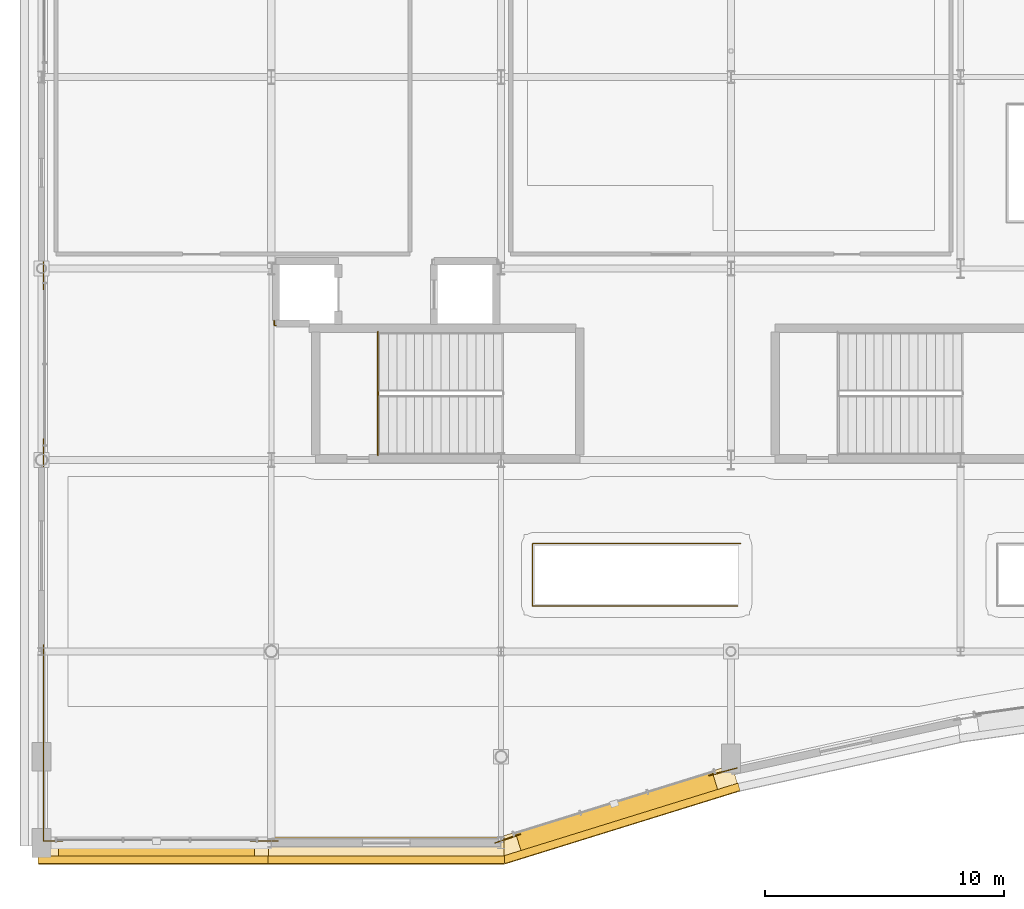
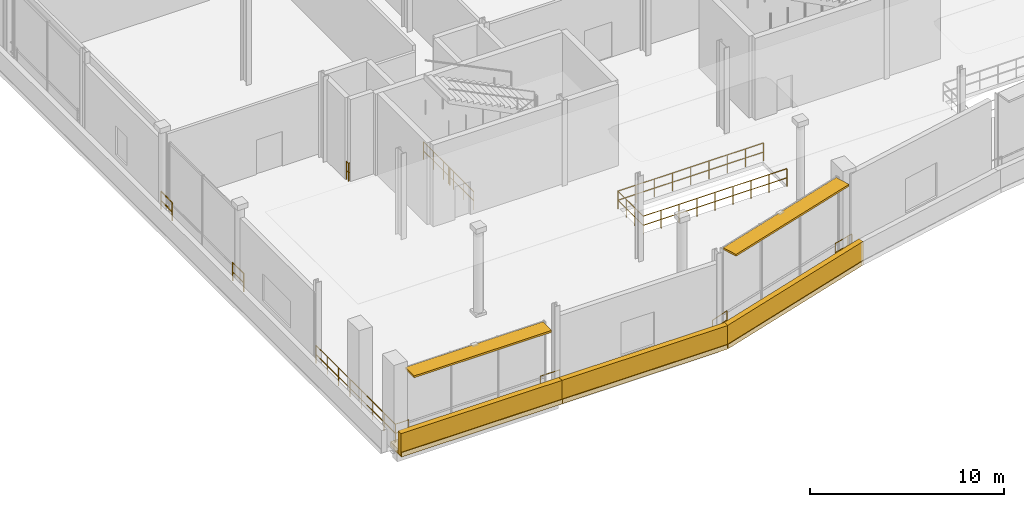
# One storey, part 102 of 129: 10 railings, 6 coverings, 2 shading devices.
"""IFC4 building model written with IfcOpenShell, lengths in metres."""

import ifcopenshell
import ifcopenshell.guid

model = None  # the IFC model being written
_history = None  # IfcOwnerHistory: only IFC2X3 demands one
_inside = {}  # id of a spatial element -> (the spatial element, [elements in it])
_under = {}  # id of a project, library or spatial element -> (it, [spatial elements below it])
_declared = {}  # id of a project -> (the project, [libraries it declares])
_typed = {}  # id of a type object -> (the type object, [elements of that type])
_made_of = {}  # id of a material, layer set ... -> (it, [elements and type objects made of it])


def new_model(schema):
    """Start an empty IFC model of exactly this schema.

    Asked for "IFC4X3", IfcOpenShell would pick the latest addendum, in which some entities
    have other attributes; the version numbers below select the first issue.
    IFC2X3 requires an IfcOwnerHistory on every rooted entity: one is made here for all.
    """
    global model, _history
    if schema == "IFC4X3":
        model = ifcopenshell.file(schema_version=(4, 3, 0, 0))
    else:
        model = ifcopenshell.file(schema=schema)
    _inside.clear()
    _under.clear()
    _declared.clear()
    _typed.clear()
    _made_of.clear()
    _history = None
    if model.schema == "IFC2X3":
        org = make("IfcOrganization", Name="unknown")
        user = make(
            "IfcPersonAndOrganization",
            ThePerson=make("IfcPerson", FamilyName="unknown"),
            TheOrganization=org,
        )
        app = make(
            "IfcApplication",
            ApplicationDeveloper=org,
            Version="unknown",
            ApplicationFullName="unknown",
            ApplicationIdentifier="unknown",
        )
        _history = make(
            "IfcOwnerHistory",
            OwningUser=user,
            OwningApplication=app,
            ChangeAction="ADDED",
            CreationDate=0,
        )
    return model


def make(cls, **values):
    """One entity of the class cls with the attributes given. An attribute that is None is left unset."""
    return model.create_entity(
        cls, **{name: value for name, value in values.items() if value is not None}
    )


def rooted(cls, **values):
    """An entity with a GlobalId (a new one), such as an element, a storey or a relation."""
    return make(cls, GlobalId=ifcopenshell.guid.new(), OwnerHistory=_history, **values)


def si_unit(unit_type, name, prefix=None):
    """IfcSIUnit, for example si_unit("LENGTHUNIT", "METRE", prefix="MILLI")."""
    return make("IfcSIUnit", UnitType=unit_type, Prefix=prefix, Name=name)


def assignment(units):
    """IfcUnitAssignment: the units of a project."""
    return None if units is None else make("IfcUnitAssignment", Units=units)


def point(xyz):
    """IfcCartesianPoint."""
    return None if xyz is None else make("IfcCartesianPoint", Coordinates=xyz)


def direction(xyz):
    """IfcDirection."""
    return None if xyz is None else make("IfcDirection", DirectionRatios=xyz)


def frame(location, z_axis=None, x_axis=None):
    """IfcAxis2Placement3D, a coordinate frame: its origin and axes. An axis left out is left unset."""
    return make(
        "IfcAxis2Placement3D",
        Location=point(location),
        Axis=direction(z_axis),
        RefDirection=direction(x_axis),
    )


def frame_2d(location, x_axis=None):
    """IfcAxis2Placement2D, a coordinate frame in the plane: its origin and x axis."""
    return make(
        "IfcAxis2Placement2D", Location=point(location), RefDirection=direction(x_axis)
    )


def origin():
    """The frame at (0, 0, 0) with its axes left unset."""
    return frame((0.0, 0.0, 0.0))


def origin_2d():
    """The frame at (0, 0) in the plane with its x axis left unset."""
    return frame_2d((0.0, 0.0))


def place(relative_to, where):
    """IfcLocalPlacement: puts the frame where relative to a parent placement (None: the world)."""
    return make(
        "IfcLocalPlacement", PlacementRelTo=relative_to, RelativePlacement=where
    )


def context(
    kind, dimensions, precision=None, world=None, true_north=None, identifier=None
):
    """IfcGeometricRepresentationContext, for example the 3D "Model" context."""
    return make(
        "IfcGeometricRepresentationContext",
        ContextIdentifier=identifier,
        ContextType=kind,
        CoordinateSpaceDimension=dimensions,
        Precision=precision,
        WorldCoordinateSystem=world,
        TrueNorth=true_north,
    )


def subcontext(parent, identifier, kind, view, scale=None):
    """IfcGeometricRepresentationSubContext, for example "Body" below "Model"."""
    return make(
        "IfcGeometricRepresentationSubContext",
        ContextIdentifier=identifier,
        ContextType=kind,
        ParentContext=parent,
        TargetScale=scale,
        TargetView=view,
    )


def project(units=None, contexts=None):
    """IfcProject with its units and contexts."""
    return rooted(
        "IfcProject",
        Name="project",
        RepresentationContexts=contexts,
        UnitsInContext=assignment(units),
    )


def spatial(cls, under=None, at=None, **own):
    """A site, building, storey or space (cls), placed at a placement, below another one or the project."""
    s = rooted(cls, ObjectPlacement=at, **own)
    if under is not None:
        _under.setdefault(under.id(), (under, []))[1].append(s)
    return s


def profile(cls, at=None, kind="AREA", **sizes):
    """A parametric profile (cls). Its sizes go by their IFC names, for example OverallWidth=200.0."""
    return make(cls, ProfileType=kind, Position=at, **sizes)


def rectangle(**sizes):
    """IfcRectangleProfileDef."""
    return profile("IfcRectangleProfileDef", **sizes)


def circle(**sizes):
    """IfcCircleProfileDef."""
    return profile("IfcCircleProfileDef", **sizes)


def extrude(swept, where, along, depth):
    """IfcExtrudedAreaSolid: the profile swept, set in the frame where, extruded along a direction by depth."""
    return make(
        "IfcExtrudedAreaSolid",
        SweptArea=swept,
        Position=where,
        ExtrudedDirection=direction(along),
        Depth=depth,
    )


def shape(context_of_items, identifier, shape_type, items):
    """IfcShapeRepresentation: the items that make up one representation, for example the "Body"."""
    return make(
        "IfcShapeRepresentation",
        ContextOfItems=context_of_items,
        RepresentationIdentifier=identifier,
        RepresentationType=shape_type,
        Items=items,
    )


def material(Name=None, Category=None):
    """IfcMaterial."""
    return make("IfcMaterial", Name=Name, Category=Category)


def layer(
    of_material, thickness, ventilated=None, Name=None, Category=None, Priority=None
):
    """IfcMaterialLayer: one layer of a wall or slab, of a material (None: an air gap)."""
    return make(
        "IfcMaterialLayer",
        Material=of_material,
        LayerThickness=thickness,
        IsVentilated=ventilated,
        Name=Name,
        Category=Category,
        Priority=Priority,
    )


def layer_set(layers, Name=None):
    """IfcMaterialLayerSet."""
    return make("IfcMaterialLayerSet", MaterialLayers=layers, LayerSetName=Name)


def made_of(thing, what):
    """Note that an element or type object is made of a material, layer set ...; save() writes the relation."""
    if what is not None:
        _made_of.setdefault(what.id(), (what, []))[1].append(thing)
    return thing


def type_object(cls, material=None, **own):
    """A type object (cls), such as IfcWallType, which elements share."""
    return made_of(rooted(cls, **own), material)


def element(
    cls,
    number,
    at=None,
    inside=None,
    cuts=None,
    type_object=None,
    material=None,
    context=None,
    identifier="Body",
    shape_type=None,
    held_by="IfcProductDefinitionShape",
    body=None,
    shapes=None,
    **own,
):
    """One element of the class cls, such as IfcWall. Its Tag is "e" and its number.

    at: its placement. inside: the storey or other place that contains it. cuts: it is an
    opening in that element (IfcRelVoidsElement). A single representation is given by context,
    identifier, shape_type and body (its items); several are given by shapes. held_by: the class
    of the entity that holds the representations. save() writes the other relations.
    """
    e = rooted(cls, Tag="e%d" % number, ObjectPlacement=at, **own)
    if body is not None:
        shapes = [shape(context, identifier, shape_type, body)]
    if shapes is not None:
        e.Representation = make(held_by, Representations=shapes)
    if inside is not None:
        _inside.setdefault(inside.id(), (inside, []))[1].append(e)
    if cuts is not None:
        rooted(
            "IfcRelVoidsElement", RelatingBuildingElement=cuts, RelatedOpeningElement=e
        )
    if type_object is not None:
        _typed.setdefault(type_object.id(), (type_object, []))[1].append(e)
    return made_of(e, material)


def aggregate(whole, parts):
    """IfcRelAggregates: a whole, such as a stair, and the parts it consists of."""
    return rooted("IfcRelAggregates", RelatingObject=whole, RelatedObjects=parts)


def save(model, path):
    """Write the relations noted so far, then the file.

    IfcRelAggregates (storeys below a building ...), IfcRelContainedInSpatialStructure (elements
    in a storey), IfcRelDefinesByType, IfcRelAssociatesMaterial and IfcRelDeclares: one each for
    every whole, place, type object, material and project.
    """
    for whole, parts in _under.values():
        aggregate(whole, parts)
    for where, things in _inside.values():
        rooted(
            "IfcRelContainedInSpatialStructure",
            RelatedElements=things,
            RelatingStructure=where,
        )
    for kind, things in _typed.values():
        rooted("IfcRelDefinesByType", RelatedObjects=things, RelatingType=kind)
    for what, things in _made_of.values():
        rooted("IfcRelAssociatesMaterial", RelatedObjects=things, RelatingMaterial=what)
    for by, libraries in _declared.values():
        rooted("IfcRelDeclares", RelatingContext=by, RelatedDefinitions=libraries)
    model.write(path)


model = new_model("IFC4")

# Units and contexts
model_context = context("Model", 3, precision=1e-05, world=origin(), true_north=direction((0.0, 1.0)))
body_context = subcontext(model_context, "Body", "Model", "MODEL_VIEW")
ifc_project = project(units=[si_unit("LENGTHUNIT", "METRE"), si_unit("AREAUNIT", "SQUARE_METRE"), si_unit("VOLUMEUNIT", "CUBIC_METRE"), si_unit("PLANEANGLEUNIT", "RADIAN"), si_unit("MASSUNIT", "GRAM", prefix="KILO")], contexts=[model_context])

# Site, building, storey
site_placement = place(None, origin())
site = spatial("IfcSite", under=ifc_project, at=site_placement, CompositionType="ELEMENT")
building_placement = place(site_placement, origin())
building = spatial("IfcBuilding", under=site, at=building_placement, Name="Danafjord Basin Convention Centre", CompositionType="ELEMENT")
storey_placement = place(building_placement, frame((0.0, 0.0, 6.0)))
storey = spatial("IfcBuildingStorey", under=building, at=storey_placement, Name="L01", CompositionType="ELEMENT", Elevation=6.0)

# Coverings
ifc_material_1 = material(Name="Architectural white precast concrete C45/55", Category="concrete")
ifc_layer = layer(ifc_material_1, 0.320068359375)
ifc_layer_set = layer_set([ifc_layer], Name="Architectural white precast concrete C45/55")
covering_type = type_object("IfcCoveringType", Name="COV-BAND-HORIZ", PredefinedType="CLADDING", material=ifc_layer_set)
covering_1_placement = place(storey_placement, frame((4.800048828125, -0.324951171875, -0.27978515625), z_axis=(0.0, 0.0, 1.0), x_axis=(1.0, 0.0, 0.0)))
element("IfcCovering", 1, at=covering_1_placement, inside=storey, type_object=covering_type, Name="L01 stepped horizontal band soffit plate 1", PredefinedType="CLADDING", context=body_context, shape_type="SweptSolid", body=[
    extrude(rectangle(XDim=9.840087890625, YDim=1.14990234375, at=origin_2d()), origin(), (0.0, 0.0, 1.0), 0.280029296875),
])
covering_2_placement = place(storey_placement, frame((4.800048828125, -0.7099609375, -0.239990234375), z_axis=(0.0, 0.0, 1.0), x_axis=(1.0, 0.0, 0.0)))
element("IfcCovering", 2, at=covering_2_placement, inside=storey, type_object=covering_type, Name="L01 layered horizontal white spandrel band 1", PredefinedType="CLADDING", context=body_context, shape_type="SweptSolid", body=[
    extrude(rectangle(XDim=9.8798828125, YDim=0.320068359375, at=origin_2d()), origin(), (0.0, 0.0, 1.0), 1.419921875),
])
covering_3_placement = place(storey_placement, frame((14.39990234375, -0.324951171875, -0.27978515625), z_axis=(0.0, 0.0, 1.0), x_axis=(1.0, 0.0, 0.0)))
element("IfcCovering", 3, at=covering_3_placement, inside=storey, type_object=covering_type, Name="L01 stepped horizontal band soffit plate 2", PredefinedType="CLADDING", context=body_context, shape_type="SweptSolid", body=[
    extrude(rectangle(XDim=9.840087890625, YDim=1.14990234375, at=origin_2d()), origin(), (0.0, 0.0, 1.0), 0.280029296875),
])
covering_4_placement = place(storey_placement, frame((14.39990234375, -0.7099609375, -0.239990234375), z_axis=(0.0, 0.0, 1.0), x_axis=(1.0, 0.0, 0.0)))
element("IfcCovering", 4, at=covering_4_placement, inside=storey, type_object=covering_type, Name="L01 layered horizontal white spandrel band 2", PredefinedType="CLADDING", context=body_context, shape_type="SweptSolid", body=[
    extrude(rectangle(XDim=9.8798828125, YDim=0.320068359375, at=origin_2d()), origin(), (0.0, 0.0, 1.0), 1.419921875),
])
covering_5_placement = place(storey_placement, frame((24.096435546875, 1.1796875, -0.27978515625), z_axis=(0.0, 0.0, 1.0), x_axis=(0.955044712757, 0.296461796249, 0.0)))
element("IfcCovering", 5, at=covering_5_placement, inside=storey, type_object=covering_type, Name="L01 stepped horizontal band soffit plate 3", PredefinedType="CLADDING", context=body_context, shape_type="SweptSolid", body=[
    extrude(rectangle(XDim=10.2919921875, YDim=1.14990234375, at=origin_2d()), origin(), (0.0, 0.0, 1.0), 0.280029296875),
])
covering_6_placement = place(storey_placement, frame((24.21044921875, 0.81201171875, -0.239990234375), z_axis=(0.0, 0.0, 1.0), x_axis=(0.955044712757, 0.296461796249, 0.0)))
element("IfcCovering", 6, at=covering_6_placement, inside=storey, type_object=covering_type, Name="L01 layered horizontal white spandrel band 3", PredefinedType="CLADDING", context=body_context, shape_type="SweptSolid", body=[
    extrude(rectangle(XDim=10.33203125, YDim=0.320068359375, at=origin_2d()), origin(), (0.0, 0.0, 1.0), 1.419921875),
])

# Railings
ifc_material_2 = material(Name="Laminated structural glass and stainless steel", Category="steel")
railing_type_1 = type_object("IfcRailingType", Name="RL-BAL-GLS", PredefinedType="BALUSTRADE", material=ifc_material_2)
railing_1_placement = place(storey_placement, frame((29.053955078125, 3.126953125, 0.0)))
element("IfcRailing", 7, at=railing_1_placement, inside=storey, type_object=railing_type_1, Name="L01 safety guard balustrade 52", PredefinedType="BALUSTRADE", context=body_context, shape_type="SweptSolid", body=[
    extrude(circle(Radius=0.02392578125, at=origin_2d()), frame((0.0, 0.0, 1.1259765625), z_axis=(-0.968807525671, -0.247814402734, 0.0), x_axis=(0.247814402734, -0.968807525671, 0.0)), (0.0, 0.0, 1.0), 0.28271484375),
    extrude(circle(Radius=0.02392578125, at=origin_2d()), frame((0.0, 0.0, 0.55078125), z_axis=(-0.968807525671, -0.247814402734, 0.0), x_axis=(0.247814402734, -0.968807525671, 0.0)), (0.0, 0.0, 1.0), 0.28271484375),
    extrude(circle(Radius=0.02392578125, at=origin_2d()), frame((-0.27392578125, -0.070068359375, 1.1259765625), z_axis=(-0.964473792843, -0.264178543637, 0.0), x_axis=(0.264178543637, -0.964473792843, 0.0)), (0.0, 0.0, 1.0), 0.934326171875),
    extrude(circle(Radius=0.02392578125, at=origin_2d()), frame((-0.27392578125, -0.070068359375, 0.55078125), z_axis=(-0.964473792843, -0.264178543637, 0.0), x_axis=(0.264178543637, -0.964473792843, 0.0)), (0.0, 0.0, 1.0), 0.934326171875),
    extrude(circle(Radius=0.02099609375, at=origin_2d()), origin(), (0.0, 0.0, 1.0), 1.099853515625),
    extrude(circle(Radius=0.02099609375, at=origin_2d()), frame((-0.27392578125, -0.070068359375, 0.0)), (0.0, 0.0, 1.0), 1.099853515625),
    extrude(circle(Radius=0.02099609375, at=origin_2d()), frame((-1.175048828125, -0.31689453125, 0.0)), (0.0, 0.0, 1.0), 1.099853515625),
])
railing_2_placement = place(storey_placement, frame((20.008056640625, 0.365966796875, 0.0)))
element("IfcRailing", 8, at=railing_2_placement, inside=storey, type_object=railing_type_1, Name="L01 safety guard balustrade 53", PredefinedType="BALUSTRADE", context=body_context, shape_type="SweptSolid", body=[
    extrude(circle(Radius=0.02392578125, at=origin_2d()), frame((0.0, 0.0, 1.1259765625), z_axis=(-0.944450360237, -0.328654099395, 0.0), x_axis=(0.328654099395, -0.944450360237, 0.0)), (0.0, 0.0, 1.0), 1.135009765625),
    extrude(circle(Radius=0.02392578125, at=origin_2d()), frame((0.0, 0.0, 0.55078125), z_axis=(-0.944450360237, -0.328654099395, 0.0), x_axis=(0.328654099395, -0.944450360237, 0.0)), (0.0, 0.0, 1.0), 1.135009765625),
    extrude(circle(Radius=0.02099609375, at=origin_2d()), origin(), (0.0, 0.0, 1.0), 1.099853515625),
    extrude(circle(Radius=0.02099609375, at=origin_2d()), frame((-1.072021484375, -0.373046875, 0.0)), (0.0, 0.0, 1.0), 1.099853515625),
])
railing_3_placement = place(storey_placement, frame((9.8798828125, 0.080078125, 0.0)))
element("IfcRailing", 9, at=railing_3_placement, inside=storey, type_object=railing_type_1, Name="L01 safety guard balustrade 54", PredefinedType="BALUSTRADE", context=body_context, shape_type="SweptSolid", body=[
    extrude(circle(Radius=0.02392578125, at=origin_2d()), frame((0.0, 0.0, 1.1259765625), z_axis=(-1.0, 0.0, 0.0), x_axis=(0.0, -1.0, 0.0)), (0.0, 0.0, 1.0), 1.159912109375),
    extrude(circle(Radius=0.02392578125, at=origin_2d()), frame((0.0, 0.0, 0.55078125), z_axis=(-1.0, 0.0, 0.0), x_axis=(0.0, -1.0, 0.0)), (0.0, 0.0, 1.0), 1.159912109375),
    extrude(circle(Radius=0.02099609375, at=origin_2d()), origin(), (0.0, 0.0, 1.0), 1.099853515625),
    extrude(circle(Radius=0.02099609375, at=origin_2d()), frame((-1.159912109375, 0.0, 0.0)), (0.0, 0.0, 1.0), 1.099853515625),
])
railing_4_placement = place(storey_placement, frame((0.8798828125, 0.080078125, 0.0)))
element("IfcRailing", 10, at=railing_4_placement, inside=storey, type_object=railing_type_1, Name="L01 safety guard balustrade 55", PredefinedType="BALUSTRADE", context=body_context, shape_type="SweptSolid", body=[
    extrude(circle(Radius=0.02392578125, at=origin_2d()), frame((0.0, 0.0, 1.1259765625), z_axis=(-1.0, 0.0, 0.0), x_axis=(0.0, -1.0, 0.0)), (0.0, 0.0, 1.0), 0.7998046875),
    extrude(circle(Radius=0.02392578125, at=origin_2d()), frame((0.0, 0.0, 0.55078125), z_axis=(-1.0, 0.0, 0.0), x_axis=(0.0, -1.0, 0.0)), (0.0, 0.0, 1.0), 0.7998046875),
    extrude(circle(Radius=0.02392578125, at=origin_2d()), frame((-0.7998046875, 0.0, 1.1259765625), z_axis=(0.0, 1.0, 0.0), x_axis=(-1.0, 0.0, 0.0)), (0.0, 0.0, 1.0), 8.199951171875),
    extrude(circle(Radius=0.02392578125, at=origin_2d()), frame((-0.7998046875, 0.0, 0.55078125), z_axis=(0.0, 1.0, 0.0), x_axis=(-1.0, 0.0, 0.0)), (0.0, 0.0, 1.0), 8.199951171875),
    extrude(circle(Radius=0.02099609375, at=origin_2d()), origin(), (0.0, 0.0, 1.0), 1.099853515625),
    extrude(circle(Radius=0.02099609375, at=origin_2d()), frame((-0.7998046875, 0.0, 0.0)), (0.0, 0.0, 1.0), 1.099853515625),
    extrude(circle(Radius=0.02099609375, at=origin_2d()), frame((-0.7998046875, 1.17138671875, 0.0)), (0.0, 0.0, 1.0), 1.099853515625),
    extrude(circle(Radius=0.02099609375, at=origin_2d()), frame((-0.7998046875, 2.3427734375, 0.0)), (0.0, 0.0, 1.0), 1.099853515625),
    extrude(circle(Radius=0.02099609375, at=origin_2d()), frame((-0.7998046875, 3.51416015625, 0.0)), (0.0, 0.0, 1.0), 1.099853515625),
    extrude(circle(Radius=0.02099609375, at=origin_2d()), frame((-0.7998046875, 4.685791015625, 0.0)), (0.0, 0.0, 1.0), 1.099853515625),
    extrude(circle(Radius=0.02099609375, at=origin_2d()), frame((-0.7998046875, 5.857177734375, 0.0)), (0.0, 0.0, 1.0), 1.099853515625),
    extrude(circle(Radius=0.02099609375, at=origin_2d()), frame((-0.7998046875, 7.028564453125, 0.0)), (0.0, 0.0, 1.0), 1.099853515625),
    extrude(circle(Radius=0.02099609375, at=origin_2d()), frame((-0.7998046875, 8.199951171875, 0.0)), (0.0, 0.0, 1.0), 1.099853515625),
])
for number, where, name in (
    (11, (0.080078125, 15.719970703125, 0.0), "L01 safety guard balustrade 56"),
    (12, (0.080078125, 23.1201171875, 0.0), "L01 safety guard balustrade 57"),
):
    element("IfcRailing", number, at=place(storey_placement, frame(where)), inside=storey, type_object=railing_type_1, Name=name, PredefinedType="BALUSTRADE", context=body_context, shape_type="SweptSolid", body=[
        extrude(circle(Radius=0.02392578125, at=origin_2d()), frame((0.0, 0.0, 1.1259765625), z_axis=(0.0, 1.0, 0.0), x_axis=(-1.0, 0.0, 0.0)), (0.0, 0.0, 1.0), 1.159912109375),
        extrude(circle(Radius=0.02392578125, at=origin_2d()), frame((0.0, 0.0, 0.55078125), z_axis=(0.0, 1.0, 0.0), x_axis=(-1.0, 0.0, 0.0)), (0.0, 0.0, 1.0), 1.159912109375),
        extrude(circle(Radius=0.02099609375, at=origin_2d()), origin(), (0.0, 0.0, 1.0), 1.099853515625),
        extrude(circle(Radius=0.02099609375, at=origin_2d()), frame((0.0, 1.159912109375, 0.0)), (0.0, 0.0, 1.0), 1.099853515625),
    ])
railing_5_placement = place(storey_placement, frame((14.050048828125, 21.375, 0.0)))
element("IfcRailing", 13, at=railing_5_placement, inside=storey, type_object=railing_type_1, Name="L01 safety guard balustrade 122", PredefinedType="BALUSTRADE", context=body_context, shape_type="SweptSolid", body=[
    extrude(circle(Radius=0.02392578125, at=origin_2d()), frame((0.0, 0.0, 1.1259765625), z_axis=(0.0, -1.0, 0.0), x_axis=(1.0, 0.0, 0.0)), (0.0, 0.0, 1.0), 5.18994140625),
    extrude(circle(Radius=0.02392578125, at=origin_2d()), frame((0.0, 0.0, 0.55078125), z_axis=(0.0, -1.0, 0.0), x_axis=(1.0, 0.0, 0.0)), (0.0, 0.0, 1.0), 5.18994140625),
    extrude(circle(Radius=0.02099609375, at=origin_2d()), origin(), (0.0, 0.0, 1.0), 1.099853515625),
    extrude(circle(Radius=0.02099609375, at=origin_2d()), frame((0.0, -1.0380859375, 0.0)), (0.0, 0.0, 1.0), 1.099853515625),
    extrude(circle(Radius=0.02099609375, at=origin_2d()), frame((0.0, -2.075927734375, 0.0)), (0.0, 0.0, 1.0), 1.099853515625),
    extrude(circle(Radius=0.02099609375, at=origin_2d()), frame((0.0, -3.114013671875, 0.0)), (0.0, 0.0, 1.0), 1.099853515625),
    extrude(circle(Radius=0.02099609375, at=origin_2d()), frame((0.0, -4.15185546875, 0.0)), (0.0, 0.0, 1.0), 1.099853515625),
    extrude(circle(Radius=0.02099609375, at=origin_2d()), frame((0.0, -5.18994140625, 0.0)), (0.0, 0.0, 1.0), 1.099853515625),
])
ifc_material_3 = material(Name="Galvanised and powder-coated steel S355", Category="steel")
railing_type_2 = type_object("IfcRailingType", Name="RL-BAL-STL", PredefinedType="BALUSTRADE", material=ifc_material_3)
railing_6_placement = place(storey_placement, frame((29.205078125, 12.5048828125, 0.0)))
element("IfcRailing", 14, at=railing_6_placement, inside=storey, type_object=railing_type_2, Name="L01 safety guard balustrade 121", PredefinedType="BALUSTRADE", context=body_context, shape_type="SweptSolid", body=[
    extrude(circle(Radius=0.02392578125, at=origin_2d()), frame((0.0, 0.0, 1.1259765625), z_axis=(-1.0, 0.0, 0.0), x_axis=(0.0, -1.0, 0.0)), (0.0, 0.0, 1.0), 8.68505859375),
    extrude(circle(Radius=0.02392578125, at=origin_2d()), frame((0.0, 0.0, 0.55078125), z_axis=(-1.0, 0.0, 0.0), x_axis=(0.0, -1.0, 0.0)), (0.0, 0.0, 1.0), 8.68505859375),
    extrude(circle(Radius=0.02392578125, at=origin_2d()), frame((-8.68505859375, 0.0, 1.1259765625), z_axis=(0.0, -1.0, 0.0), x_axis=(1.0, 0.0, 0.0)), (0.0, 0.0, 1.0), 2.60986328125),
    extrude(circle(Radius=0.02392578125, at=origin_2d()), frame((-8.68505859375, 0.0, 0.55078125), z_axis=(0.0, -1.0, 0.0), x_axis=(1.0, 0.0, 0.0)), (0.0, 0.0, 1.0), 2.60986328125),
    extrude(circle(Radius=0.02392578125, at=origin_2d()), frame((-8.68505859375, -2.60986328125, 1.1259765625), z_axis=(1.0, 0.0, 0.0), x_axis=(0.0, 1.0, 0.0)), (0.0, 0.0, 1.0), 8.56494140625),
    extrude(circle(Radius=0.02392578125, at=origin_2d()), frame((-8.68505859375, -2.60986328125, 0.55078125), z_axis=(1.0, 0.0, 0.0), x_axis=(0.0, 1.0, 0.0)), (0.0, 0.0, 1.0), 8.56494140625),
    extrude(circle(Radius=0.02099609375, at=origin_2d()), origin(), (0.0, 0.0, 1.0), 1.099853515625),
    extrude(circle(Radius=0.02099609375, at=origin_2d()), frame((-1.085693359375, 0.0, 0.0)), (0.0, 0.0, 1.0), 1.099853515625),
    extrude(circle(Radius=0.02099609375, at=origin_2d()), frame((-2.17138671875, 0.0, 0.0)), (0.0, 0.0, 1.0), 1.099853515625),
    extrude(circle(Radius=0.02099609375, at=origin_2d()), frame((-3.2568359375, 0.0, 0.0)), (0.0, 0.0, 1.0), 1.099853515625),
    extrude(circle(Radius=0.02099609375, at=origin_2d()), frame((-4.342529296875, 0.0, 0.0)), (0.0, 0.0, 1.0), 1.099853515625),
    extrude(circle(Radius=0.02099609375, at=origin_2d()), frame((-5.42822265625, 0.0, 0.0)), (0.0, 0.0, 1.0), 1.099853515625),
    extrude(circle(Radius=0.02099609375, at=origin_2d()), frame((-6.513671875, 0.0, 0.0)), (0.0, 0.0, 1.0), 1.099853515625),
    extrude(circle(Radius=0.02099609375, at=origin_2d()), frame((-7.599365234375, 0.0, 0.0)), (0.0, 0.0, 1.0), 1.099853515625),
    extrude(circle(Radius=0.02099609375, at=origin_2d()), frame((-8.68505859375, 0.0, 0.0)), (0.0, 0.0, 1.0), 1.099853515625),
    extrude(circle(Radius=0.02099609375, at=origin_2d()), frame((-8.68505859375, -0.869873046875, 0.0)), (0.0, 0.0, 1.0), 1.099853515625),
    extrude(circle(Radius=0.02099609375, at=origin_2d()), frame((-8.68505859375, -1.739990234375, 0.0)), (0.0, 0.0, 1.0), 1.099853515625),
    extrude(circle(Radius=0.02099609375, at=origin_2d()), frame((-8.68505859375, -2.60986328125, 0.0)), (0.0, 0.0, 1.0), 1.099853515625),
    extrude(circle(Radius=0.02099609375, at=origin_2d()), frame((-7.614501953125, -2.60986328125, 0.0)), (0.0, 0.0, 1.0), 1.099853515625),
    extrude(circle(Radius=0.02099609375, at=origin_2d()), frame((-6.5439453125, -2.60986328125, 0.0)), (0.0, 0.0, 1.0), 1.099853515625),
    extrude(circle(Radius=0.02099609375, at=origin_2d()), frame((-5.47314453125, -2.60986328125, 0.0)), (0.0, 0.0, 1.0), 1.099853515625),
    extrude(circle(Radius=0.02099609375, at=origin_2d()), frame((-4.402587890625, -2.60986328125, 0.0)), (0.0, 0.0, 1.0), 1.099853515625),
    extrude(circle(Radius=0.02099609375, at=origin_2d()), frame((-3.33203125, -2.60986328125, 0.0)), (0.0, 0.0, 1.0), 1.099853515625),
    extrude(circle(Radius=0.02099609375, at=origin_2d()), frame((-2.26123046875, -2.60986328125, 0.0)), (0.0, 0.0, 1.0), 1.099853515625),
    extrude(circle(Radius=0.02099609375, at=origin_2d()), frame((-1.190673828125, -2.60986328125, 0.0)), (0.0, 0.0, 1.0), 1.099853515625),
    extrude(circle(Radius=0.02099609375, at=origin_2d()), frame((-0.1201171875, -2.60986328125, 0.0)), (0.0, 0.0, 1.0), 1.099853515625),
])
railing_7_placement = place(storey_placement, frame((9.719970703125, 21.8349609375, 0.0)))
element("IfcRailing", 15, at=railing_7_placement, inside=storey, type_object=railing_type_2, Name="L01 safety guard balustrade 129", PredefinedType="BALUSTRADE", context=body_context, shape_type="SweptSolid", body=[
    extrude(circle(Radius=0.02392578125, at=origin_2d()), frame((0.0, 0.0, 1.1259765625), z_axis=(0.0, -1.0, 0.0), x_axis=(1.0, 0.0, 0.0)), (0.0, 0.0, 1.0), 0.21484375),
    extrude(circle(Radius=0.02392578125, at=origin_2d()), frame((0.0, 0.0, 0.55078125), z_axis=(0.0, -1.0, 0.0), x_axis=(1.0, 0.0, 0.0)), (0.0, 0.0, 1.0), 0.21484375),
    extrude(circle(Radius=0.02392578125, at=origin_2d()), frame((0.0, -0.21484375, 1.1259765625), z_axis=(1.0, 0.0, 0.0), x_axis=(0.0, 1.0, 0.0)), (0.0, 0.0, 1.0), 0.080078125),
    extrude(circle(Radius=0.02392578125, at=origin_2d()), frame((0.0, -0.21484375, 0.55078125), z_axis=(1.0, 0.0, 0.0), x_axis=(0.0, 1.0, 0.0)), (0.0, 0.0, 1.0), 0.080078125),
    extrude(circle(Radius=0.02099609375, at=origin_2d()), origin(), (0.0, 0.0, 1.0), 1.099853515625),
    extrude(circle(Radius=0.02099609375, at=origin_2d()), frame((0.0, -0.21484375, 0.0)), (0.0, 0.0, 1.0), 1.099853515625),
    extrude(circle(Radius=0.02099609375, at=origin_2d()), frame((0.080078125, -0.21484375, 0.0)), (0.0, 0.0, 1.0), 1.099853515625),
])
ifc_material_4 = material(Name="Galvanised steel S355", Category="steel")
railing_type_3 = type_object("IfcRailingType", Name="RL-GD-WELL", PredefinedType="BALUSTRADE", material=ifc_material_4)
railing_8_placement = place(storey_placement, frame((14.080078125, 18.7099609375, 0.0)))
element("IfcRailing", 16, at=railing_8_placement, inside=storey, type_object=railing_type_3, Name="L01 ST-01 stair guard 4", PredefinedType="BALUSTRADE", context=body_context, shape_type="SweptSolid", body=[
    extrude(circle(Radius=0.02392578125, at=origin_2d()), frame((0.0, 0.0, 1.076171875), z_axis=(0.0, 1.0, 0.0), x_axis=(-1.0, 0.0, 0.0)), (0.0, 0.0, 1.0), 0.14013671875),
    extrude(circle(Radius=0.02392578125, at=origin_2d()), frame((0.0, 0.0, 0.52587890625), z_axis=(0.0, 1.0, 0.0), x_axis=(-1.0, 0.0, 0.0)), (0.0, 0.0, 1.0), 0.14013671875),
    extrude(circle(Radius=0.02099609375, at=origin_2d()), origin(), (0.0, 0.0, 1.0), 1.050048828125),
    extrude(circle(Radius=0.02099609375, at=origin_2d()), frame((0.0, 0.14013671875, 0.0)), (0.0, 0.0, 1.0), 1.050048828125),
])

# Shading devices
ifc_material_5 = material(Name="Anodised aluminium aerofoil sunshade", Category="aluminium")
shading_device_type = type_object("IfcShadingDeviceType", Name="SHD-SUN-A", PredefinedType="USERDEFINED", material=ifc_material_5)
shading_device_1_placement = place(storey_placement, frame((4.800048828125, -0.340087890625, 4.35986328125), z_axis=(0.0, 0.0, 1.0), x_axis=(1.0, 0.0, 0.0)))
element("IfcShadingDevice", 17, at=shading_device_1_placement, inside=storey, type_object=shading_device_type, Name="L01 cantilevered harbour sunshade 4", ObjectType="SUNSHADE", PredefinedType="USERDEFINED", context=body_context, shape_type="SweptSolid", body=[
    extrude(rectangle(XDim=8.199951171875, YDim=0.89990234375, at=origin_2d()), origin(), (0.0, 0.0, 1.0), 0.1201171875),
])
shading_device_2_placement = place(storey_placement, frame((24.0498046875, 1.245849609375, 5.030029296875), z_axis=(0.0, 0.0, 1.0), x_axis=(0.955044712757, 0.296461796249, 0.0)))
element("IfcShadingDevice", 18, at=shading_device_2_placement, inside=storey, type_object=shading_device_type, Name="L01 cantilevered harbour sunshade 5", ObjectType="SUNSHADE", PredefinedType="USERDEFINED", context=body_context, shape_type="SweptSolid", body=[
    extrude(rectangle(XDim=8.601806640625, YDim=0.89990234375, at=origin_2d()), origin(), (0.0, 0.0, 1.0), 0.1201171875),
])

save(model, "model.ifc")
